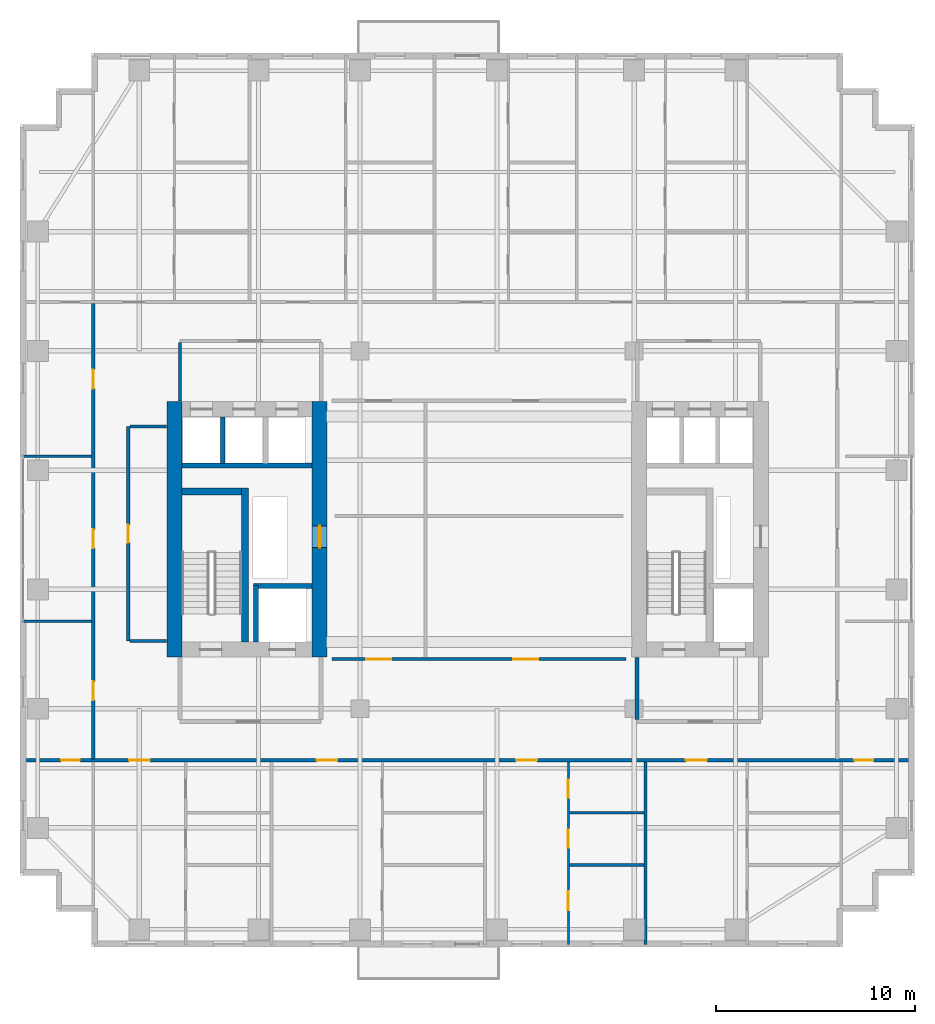
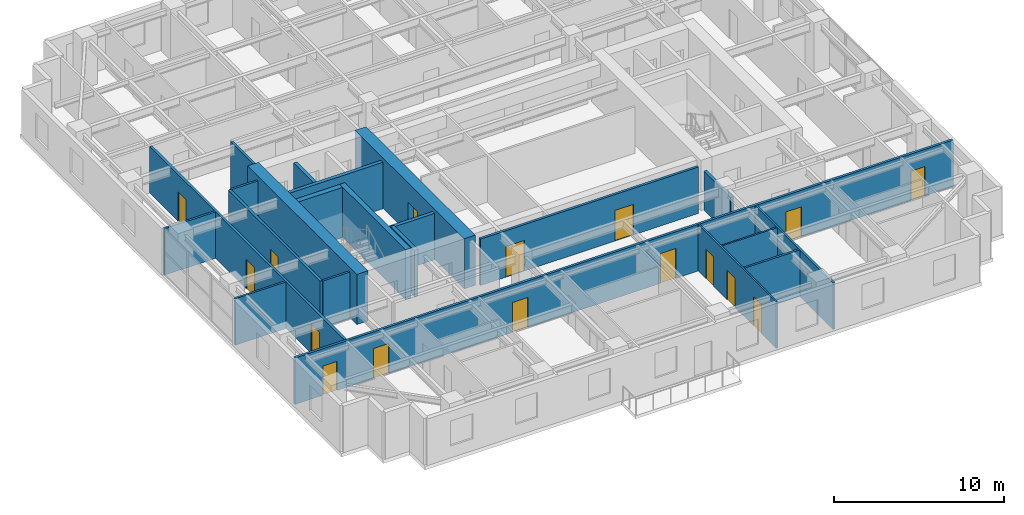
# One storey, part 9 of 15: 22 walls, 16 doors, 16 openings.
"""IFC4 building model written with IfcOpenShell, lengths in metres."""

from ifc_helpers import new_model, si_unit, direction, frame, frame_2d, origin, place, context, subcontext, project, spatial, rectangle, extrude, source, transform, mapped, material, layer, layer_set, type_object, element, fill, save


model = new_model("IFC4")

# Units and contexts
model_context = context("Model", 3, precision=1e-05, world=origin(), true_north=direction((0.0, 1.0)))
body_context = subcontext(model_context, "Body", "Model", "MODEL_VIEW")
ifc_project = project(units=[si_unit("LENGTHUNIT", "METRE"), si_unit("AREAUNIT", "SQUARE_METRE"), si_unit("VOLUMEUNIT", "CUBIC_METRE"), si_unit("PLANEANGLEUNIT", "RADIAN"), si_unit("MASSUNIT", "GRAM", prefix="KILO")], contexts=[model_context])

# Site, building, storey
site_placement = place(None, origin())
site = spatial("IfcSite", under=ifc_project, at=site_placement, CompositionType="ELEMENT")
building_placement = place(site_placement, origin())
building = spatial("IfcBuilding", under=site, at=building_placement, Name="Khoralis Quay Care Tower", CompositionType="ELEMENT")
storey_placement = place(building_placement, frame((0.0, 0.0, 123.300048828125)))
storey = spatial("IfcBuildingStorey", under=building, at=storey_placement, Name="L32", CompositionType="ELEMENT", Elevation=123.300048828125)

# Walls
ifc_material_1 = material(Name="Gypsum plasterboard on acoustic metal stud")
ifc_layer_1 = layer(ifc_material_1, 0.199951171875)
ifc_layer_set_1 = layer_set([ifc_layer_1], Name="Gypsum plasterboard on acoustic metal stud")
wall_type_1 = type_object("IfcWallType", Name="WL-COMP-200", PredefinedType="PARTITIONING", material=ifc_layer_set_1)
wall_1_placement = place(storey_placement, frame((31.050048828125, 11.445068359375, 0.0), z_axis=(0.0, 0.0, 1.0), x_axis=(0.0, 1.0, 0.0)))
element("IfcWall", 1, at=wall_1_placement, inside=storey, type_object=wall_type_1, Name="L32 East Firefighting Lobby West Wall", PredefinedType="PARTITIONING", context=body_context, shape_type="SweptSolid", body=[
    extrude(rectangle(XDim=3.135009765625, YDim=0.199951171875, at=frame_2d((1.5673828125, 0.0))), origin(), (0.0, 0.0, 1.0), 2.7958984375),
])
ifc_material_2 = material(Name="Concrete C80/95", Category="concrete")
ifc_layer_2 = layer(ifc_material_2, 0.75)
ifc_layer_set_2 = layer_set([ifc_layer_2], Name="Concrete C80/95")
wall_type_2 = type_object("IfcWallType", Name="WL-CORE-750", PredefinedType="SHEAR", material=ifc_layer_set_2)
wall_2_placement = place(storey_placement, frame((7.77490234375, 14.60009765625, 0.0), z_axis=(0.0, 0.0, 1.0), x_axis=(0.0, 1.0, 0.0)))
element("IfcWall", 2, at=wall_2_placement, inside=storey, type_object=wall_type_2, Name="L32 WCORE West Shear Wall", PredefinedType="SHEAR", context=body_context, shape_type="SweptSolid", body=[
    extrude(rectangle(XDim=12.849853515625, YDim=0.75, at=frame_2d((6.4248046875, 0.0))), origin(), (0.0, 0.0, 1.0), 3.599853515625),
])

# Wall, opening, door
wall_3_placement = place(storey_placement, frame((15.074951171875, 14.60009765625, 0.0), z_axis=(0.0, 0.0, 1.0), x_axis=(0.0, 1.0, 0.0)))
wall_3 = element("IfcWall", 3, at=wall_3_placement, inside=storey, type_object=wall_type_2, Name="L32 WCORE East Shear Wall", PredefinedType="SHEAR", context=body_context, shape_type="SweptSolid", body=[
    extrude(rectangle(XDim=12.849853515625, YDim=0.75, at=frame_2d((6.4248046875, 0.0))), origin(), (0.0, 0.0, 1.0), 3.599853515625),
])
opening_1_placement = place(wall_3_placement, frame((5.5, 0.0, 0.0)))
opening_1 = element("IfcOpeningElement", 4, at=opening_1_placement, cuts=wall_3, Name="Opening SD1", PredefinedType="OPENING", context=body_context, shape_type="SweptSolid", body=[
    extrude(rectangle(XDim=1.10009765625, YDim=2.199951171875, at=frame_2d((0.550048828125, 1.10009765625))), frame((0.0, 0.385009765625, 0.0), z_axis=(0.0, -1.0, 0.0), x_axis=(1.0, 0.0, 0.0)), (0.0, 0.0, 1.0), 0.77001953125),
])
ifc_material_3 = material(Name="Fire-rated painted steel", Category="steel")
door_type_1 = type_object("IfcDoorType", Name="DR-STAIR-1100X2200", OperationType="NOTDEFINED", PredefinedType="DOOR", material=ifc_material_3)
shared_shape_1 = source(origin(), body_context, "Body", "SweptSolid", [
    extrude(rectangle(XDim=1.10009765625, YDim=2.199951171875, at=frame_2d((0.550048828125, 1.10009765625))), frame((0.0, 0.02490234375, 0.0), z_axis=(0.0, -1.0, 0.0), x_axis=(1.0, 0.0, 0.0)), (0.0, 0.0, 1.0), 0.050048828125),
])
door_1_placement = place(opening_1_placement, origin())
door_1 = element("IfcDoor", 5, at=door_1_placement, inside=storey, type_object=door_type_1, Name="L32 West MEP Riser Door", OperationType="SINGLE_SWING_RIGHT", OverallHeight=2.199951171875, OverallWidth=1.10009765625, PredefinedType="DOOR", context=body_context, shape_type="MappedRepresentation", body=[
    mapped(shared_shape_1, transform((0.0, 0.0, 0.0), scale=1.0)),
])
fill(opening_1, door_1)

# Wall
ifc_layer_3 = layer(ifc_material_1, 0.1650390625)
ifc_layer_set_3 = layer_set([ifc_layer_3], Name="Gypsum plasterboard on acoustic metal stud")
wall_type_3 = type_object("IfcWallType", Name="WL-CORR-165", PredefinedType="PARTITIONING", material=ifc_layer_set_3)
wall_4_placement = place(storey_placement, frame((8.050048828125, 27.469970703125, 0.0), z_axis=(0.0, 0.0, 1.0), x_axis=(0.0, 1.0, 0.0)))
element("IfcWall", 6, at=wall_4_placement, inside=storey, type_object=wall_type_3, Name="L32 West Lift Lobby West Wall", PredefinedType="PARTITIONING", context=body_context, shape_type="SweptSolid", body=[
    extrude(rectangle(XDim=2.95263671875, YDim=0.1650390625, at=frame_2d((1.476318359375, 0.0))), origin(), (0.0, 0.0, 1.0), 3.33984375),
])

# Wall, opening, door
wall_5_placement = place(storey_placement, frame((5.449951171875, 15.39990234375, 0.0), z_axis=(0.0, 0.0, 1.0), x_axis=(0.0, 1.0, 0.0)))
wall_5 = element("IfcWall", 7, at=wall_5_placement, inside=storey, type_object=wall_type_3, Name="L32 West Core Service Flank Wall", PredefinedType="PARTITIONING", context=body_context, shape_type="SweptSolid", body=[
    extrude(rectangle(XDim=10.800048828125, YDim=0.1650390625, at=frame_2d((5.39990234375, 0.0))), origin(), (0.0, 0.0, 1.0), 3.33984375),
])
opening_2_placement = place(wall_5_placement, frame((4.949951171875, 0.0, 0.0)))
opening_2 = element("IfcOpeningElement", 8, at=opening_2_placement, cuts=wall_5, Name="Opening WD1", PredefinedType="OPENING", context=body_context, shape_type="SweptSolid", body=[
    extrude(rectangle(XDim=0.89990234375, YDim=2.10009765625, at=frame_2d((0.449951171875, 1.050048828125))), frame((0.0, 0.092529296875, 0.0), z_axis=(0.0, -1.0, 0.0), x_axis=(1.0, 0.0, 0.0)), (0.0, 0.0, 1.0), 0.18505859375),
])
ifc_material_4 = material(Name="Acoustic hardwood timber", Category="wood")
door_type_2 = type_object("IfcDoorType", Name="DR-BATH-900X2100", OperationType="NOTDEFINED", PredefinedType="DOOR", material=ifc_material_4)
shared_shape_2 = source(origin(), body_context, "Body", "SweptSolid", [
    extrude(rectangle(XDim=0.89990234375, YDim=2.10009765625, at=frame_2d((0.449951171875, 1.050048828125))), frame((0.0, 0.02490234375, 0.0), z_axis=(0.0, -1.0, 0.0), x_axis=(1.0, 0.0, 0.0)), (0.0, 0.0, 1.0), 0.050048828125),
])
door_2_placement = place(opening_2_placement, frame((0.89990234375, 0.0, 0.0), z_axis=(0.0, 0.0, 1.0), x_axis=(-1.0, 0.0, 0.0)))
door_2 = element("IfcDoor", 9, at=door_2_placement, inside=storey, type_object=door_type_2, Name="L32 Housekeeping & Public Accessible WC Door", OperationType="SINGLE_SWING_LEFT", OverallHeight=2.10009765625, OverallWidth=0.89990234375, PredefinedType="DOOR", context=body_context, shape_type="MappedRepresentation", body=[
    mapped(shared_shape_2, transform((0.0, 0.0, 0.0), scale=1.0)),
])
fill(opening_2, door_2)

# Wall, openings, doors
wall_6_placement = place(storey_placement, frame((0.14501953125, 9.39990234375, 0.0), z_axis=(0.0, 0.0, 1.0), x_axis=(1.0, 0.0, 0.0)))
wall_6 = element("IfcWall", 10, at=wall_6_placement, inside=storey, type_object=wall_type_3, Name="L32 South Main Corridor Wall", PredefinedType="PARTITIONING", context=body_context, shape_type="SweptSolid", body=[
    extrude(rectangle(XDim=44.7099609375, YDim=0.1650390625, at=frame_2d((22.35498046875, 0.0))), origin(), (0.0, 0.0, 1.0), 3.33984375),
])
opening_3_placement = place(wall_6_placement, frame((5.342041015625, 0.0, 0.0)))
opening_3 = element("IfcOpeningElement", 11, at=opening_3_placement, cuts=wall_6, Name="Opening UD1", PredefinedType="OPENING", context=body_context, shape_type="SweptSolid", body=[
    extrude(rectangle(XDim=1.050048828125, YDim=2.14990234375, at=frame_2d((0.52490234375, 1.074951171875))), frame((0.0, 0.092529296875, 0.0), z_axis=(0.0, -1.0, 0.0), x_axis=(1.0, 0.0, 0.0)), (0.0, 0.0, 1.0), 0.18505859375),
])
opening_4_placement = place(wall_6_placement, frame((14.7724609375, 0.0, 0.0)))
opening_4 = element("IfcOpeningElement", 12, at=opening_4_placement, cuts=wall_6, Name="Opening UD1", PredefinedType="OPENING", context=body_context, shape_type="SweptSolid", body=[
    extrude(rectangle(XDim=1.050048828125, YDim=2.14990234375, at=frame_2d((0.52490234375, 1.074951171875))), frame((0.0, 0.092529296875, 0.0), z_axis=(0.0, -1.0, 0.0), x_axis=(1.0, 0.0, 0.0)), (0.0, 0.0, 1.0), 0.18505859375),
])
opening_5_placement = place(wall_6_placement, frame((24.821044921875, 0.0, 0.0)))
opening_5 = element("IfcOpeningElement", 13, at=opening_5_placement, cuts=wall_6, Name="Opening UD1", PredefinedType="OPENING", context=body_context, shape_type="SweptSolid", body=[
    extrude(rectangle(XDim=1.050048828125, YDim=2.14990234375, at=frame_2d((0.52490234375, 1.074951171875))), frame((0.0, 0.092529296875, 0.0), z_axis=(0.0, -1.0, 0.0), x_axis=(1.0, 0.0, 0.0)), (0.0, 0.0, 1.0), 0.18505859375),
])
opening_6_placement = place(wall_6_placement, frame((33.361083984375, 0.0, 0.0)))
opening_6 = element("IfcOpeningElement", 14, at=opening_6_placement, cuts=wall_6, Name="Opening UD1", PredefinedType="OPENING", context=body_context, shape_type="SweptSolid", body=[
    extrude(rectangle(XDim=1.050048828125, YDim=2.14990234375, at=frame_2d((0.52490234375, 1.074951171875))), frame((0.0, 0.092529296875, 0.0), z_axis=(0.0, -1.0, 0.0), x_axis=(1.0, 0.0, 0.0)), (0.0, 0.0, 1.0), 0.18505859375),
])
opening_7_placement = place(wall_6_placement, frame((1.919921875, 0.0, 0.0)))
opening_7 = element("IfcOpeningElement", 15, at=opening_7_placement, cuts=wall_6, Name="Opening ID1", PredefinedType="OPENING", context=body_context, shape_type="SweptSolid", body=[
    extrude(rectangle(XDim=0.949951171875, YDim=2.10009765625, at=frame_2d((0.47509765625, 1.050048828125))), frame((0.0, 0.092529296875, 0.0), z_axis=(0.0, -1.0, 0.0), x_axis=(1.0, 0.0, 0.0)), (0.0, 0.0, 1.0), 0.18505859375),
])
opening_8_placement = place(wall_6_placement, frame((41.840087890625, 0.0, 0.0)))
opening_8 = element("IfcOpeningElement", 16, at=opening_8_placement, cuts=wall_6, Name="Opening ID1", PredefinedType="OPENING", context=body_context, shape_type="SweptSolid", body=[
    extrude(rectangle(XDim=0.949951171875, YDim=2.10009765625, at=frame_2d((0.47509765625, 1.050048828125))), frame((0.0, 0.092529296875, 0.0), z_axis=(0.0, -1.0, 0.0), x_axis=(1.0, 0.0, 0.0)), (0.0, 0.0, 1.0), 0.18505859375),
])
door_type_3 = type_object("IfcDoorType", Name="DR-ROOM-950X2100", OperationType="NOTDEFINED", PredefinedType="DOOR", material=ifc_material_4)
shared_shape_3 = source(origin(), body_context, "Body", "SweptSolid", [
    extrude(rectangle(XDim=0.949951171875, YDim=2.10009765625, at=frame_2d((0.47509765625, 1.050048828125))), frame((0.0, 0.02490234375, 0.0), z_axis=(0.0, -1.0, 0.0), x_axis=(1.0, 0.0, 0.0)), (0.0, 0.0, 1.0), 0.050048828125),
])
door_3_placement = place(opening_7_placement, frame((0.949951171875, 0.0, 0.0), z_axis=(0.0, 0.0, 1.0), x_axis=(-1.0, 0.0, 0.0)))
door_3 = element("IfcDoor", 17, at=door_3_placement, inside=storey, type_object=door_type_3, Name="L32 SW Corner Door", OperationType="SINGLE_SWING_LEFT", OverallHeight=2.10009765625, OverallWidth=0.949951171875, PredefinedType="DOOR", context=body_context, shape_type="MappedRepresentation", body=[
    mapped(shared_shape_3, transform((0.0, 0.0, 0.0), scale=1.0)),
])
fill(opening_7, door_3)
door_4_placement = place(opening_8_placement, frame((0.949951171875, 0.0, 0.0), z_axis=(0.0, 0.0, 1.0), x_axis=(-1.0, 0.0, 0.0)))
door_4 = element("IfcDoor", 18, at=door_4_placement, inside=storey, type_object=door_type_3, Name="L32 SE Corner Door", OperationType="SINGLE_SWING_RIGHT", OverallHeight=2.10009765625, OverallWidth=0.949951171875, PredefinedType="DOOR", context=body_context, shape_type="MappedRepresentation", body=[
    mapped(shared_shape_3, transform((0.0, 0.0, 0.0), scale=1.0)),
])
fill(opening_8, door_4)
door_type_4 = type_object("IfcDoorType", Name="DR-SUITE-1050X2150", OperationType="NOTDEFINED", PredefinedType="DOOR", material=ifc_material_4)
shared_shape_4 = source(origin(), body_context, "Body", "SweptSolid", [
    extrude(rectangle(XDim=1.050048828125, YDim=2.14990234375, at=frame_2d((0.52490234375, 1.074951171875))), frame((0.0, 0.02490234375, 0.0), z_axis=(0.0, -1.0, 0.0), x_axis=(1.0, 0.0, 0.0)), (0.0, 0.0, 1.0), 0.050048828125),
])
door_5_placement = place(opening_3_placement, frame((1.050048828125, 0.0, 0.0), z_axis=(0.0, 0.0, 1.0), x_axis=(-1.0, 0.0, 0.0)))
door_5 = element("IfcDoor", 19, at=door_5_placement, inside=storey, type_object=door_type_4, Name="L32 Apartment SB0 Entrance Door", OperationType="SINGLE_SWING_RIGHT", OverallHeight=2.14990234375, OverallWidth=1.050048828125, PredefinedType="DOOR", context=body_context, shape_type="MappedRepresentation", body=[
    mapped(shared_shape_4, transform((0.0, 0.0, 0.0), scale=1.0)),
])
fill(opening_3, door_5)
door_6_placement = place(opening_4_placement, frame((1.050048828125, 0.0, 0.0), z_axis=(0.0, 0.0, 1.0), x_axis=(-1.0, 0.0, 0.0)))
door_6 = element("IfcDoor", 20, at=door_6_placement, inside=storey, type_object=door_type_4, Name="L32 Apartment SB1 Entrance Door", OperationType="SINGLE_SWING_LEFT", OverallHeight=2.14990234375, OverallWidth=1.050048828125, PredefinedType="DOOR", context=body_context, shape_type="MappedRepresentation", body=[
    mapped(shared_shape_4, transform((0.0, 0.0, 0.0), scale=1.0)),
])
fill(opening_4, door_6)
door_7_placement = place(opening_5_placement, frame((1.050048828125, 0.0, 0.0), z_axis=(0.0, 0.0, 1.0), x_axis=(-1.0, 0.0, 0.0)))
door_7 = element("IfcDoor", 21, at=door_7_placement, inside=storey, type_object=door_type_4, Name="L32 Apartment SB2 Entrance Door", OperationType="SINGLE_SWING_RIGHT", OverallHeight=2.14990234375, OverallWidth=1.050048828125, PredefinedType="DOOR", context=body_context, shape_type="MappedRepresentation", body=[
    mapped(shared_shape_4, transform((0.0, 0.0, 0.0), scale=1.0)),
])
fill(opening_5, door_7)
door_8_placement = place(opening_6_placement, frame((1.050048828125, 0.0, 0.0), z_axis=(0.0, 0.0, 1.0), x_axis=(-1.0, 0.0, 0.0)))
door_8 = element("IfcDoor", 22, at=door_8_placement, inside=storey, type_object=door_type_4, Name="L32 Apartment SB3 Entrance Door", OperationType="SINGLE_SWING_LEFT", OverallHeight=2.14990234375, OverallWidth=1.050048828125, PredefinedType="DOOR", context=body_context, shape_type="MappedRepresentation", body=[
    mapped(shared_shape_4, transform((0.0, 0.0, 0.0), scale=1.0)),
])
fill(opening_6, door_8)

wall_7_placement = place(storey_placement, frame((3.679931640625, 9.4775390625, 0.0), z_axis=(0.0, 0.0, 1.0), x_axis=(0.0, 1.0, 0.0)))
wall_7 = element("IfcWall", 23, at=wall_7_placement, inside=storey, type_object=wall_type_3, Name="L32 West Loop Corridor Wall", PredefinedType="PARTITIONING", context=body_context, shape_type="SweptSolid", body=[
    extrude(rectangle(XDim=22.905029296875, YDim=0.1650390625, at=frame_2d((11.45263671875, 0.0))), origin(), (0.0, 0.0, 1.0), 3.33984375),
])
opening_9_placement = place(wall_7_placement, frame((2.947509765625, 0.0, 0.0)))
opening_9 = element("IfcOpeningElement", 24, at=opening_9_placement, cuts=wall_7, Name="Opening ID1", PredefinedType="OPENING", context=body_context, shape_type="SweptSolid", body=[
    extrude(rectangle(XDim=0.949951171875, YDim=2.10009765625, at=frame_2d((0.47509765625, 1.050048828125))), frame((0.0, 0.092529296875, 0.0), z_axis=(0.0, -1.0, 0.0), x_axis=(1.0, 0.0, 0.0)), (0.0, 0.0, 1.0), 0.18505859375),
])
opening_10_placement = place(wall_7_placement, frame((10.597412109375, 0.0, 0.0)))
opening_10 = element("IfcOpeningElement", 25, at=opening_10_placement, cuts=wall_7, Name="Opening ID1", PredefinedType="OPENING", context=body_context, shape_type="SweptSolid", body=[
    extrude(rectangle(XDim=0.949951171875, YDim=2.10009765625, at=frame_2d((0.47509765625, 1.050048828125))), frame((0.0, 0.092529296875, 0.0), z_axis=(0.0, -1.0, 0.0), x_axis=(1.0, 0.0, 0.0)), (0.0, 0.0, 1.0), 0.18505859375),
])
opening_11_placement = place(wall_7_placement, frame((18.62744140625, 0.0, 0.0)))
opening_11 = element("IfcOpeningElement", 26, at=opening_11_placement, cuts=wall_7, Name="Opening ID1", PredefinedType="OPENING", context=body_context, shape_type="SweptSolid", body=[
    extrude(rectangle(XDim=0.949951171875, YDim=2.10009765625, at=frame_2d((0.47509765625, 1.050048828125))), frame((0.0, 0.092529296875, 0.0), z_axis=(0.0, -1.0, 0.0), x_axis=(1.0, 0.0, 0.0)), (0.0, 0.0, 1.0), 0.18505859375),
])
door_9_placement = place(opening_9_placement, origin())
door_9 = element("IfcDoor", 27, at=door_9_placement, inside=storey, type_object=door_type_3, Name="L32 Therapy Consultation Room Door", OperationType="SINGLE_SWING_LEFT", OverallHeight=2.10009765625, OverallWidth=0.949951171875, PredefinedType="DOOR", context=body_context, shape_type="MappedRepresentation", body=[
    mapped(shared_shape_3, transform((0.0, 0.0, 0.0), scale=1.0)),
])
fill(opening_9, door_9)
door_10_placement = place(opening_10_placement, origin())
door_10 = element("IfcDoor", 28, at=door_10_placement, inside=storey, type_object=door_type_3, Name="L32 Assisted Activity Lounge Door", OperationType="SINGLE_SWING_RIGHT", OverallHeight=2.10009765625, OverallWidth=0.949951171875, PredefinedType="DOOR", context=body_context, shape_type="MappedRepresentation", body=[
    mapped(shared_shape_3, transform((0.0, 0.0, 0.0), scale=1.0)),
])
fill(opening_10, door_10)
door_11_placement = place(opening_11_placement, origin())
door_11 = element("IfcDoor", 29, at=door_11_placement, inside=storey, type_object=door_type_3, Name="L32 Nurse Charting Office Door", OperationType="SINGLE_SWING_LEFT", OverallHeight=2.10009765625, OverallWidth=0.949951171875, PredefinedType="DOOR", context=body_context, shape_type="MappedRepresentation", body=[
    mapped(shared_shape_3, transform((0.0, 0.0, 0.0), scale=1.0)),
])
fill(opening_11, door_11)

wall_8_placement = place(storey_placement, frame((15.699951171875, 14.5, 0.0), z_axis=(0.0, 0.0, 1.0), x_axis=(1.0, 0.0, 0.0)))
wall_8 = element("IfcWall", 30, at=wall_8_placement, inside=storey, type_object=wall_type_3, Name="L32 Central Clinical South Wall", PredefinedType="PARTITIONING", context=body_context, shape_type="SweptSolid", body=[
    extrude(rectangle(XDim=14.800048828125, YDim=0.1650390625, at=frame_2d((7.39990234375, 0.0))), origin(), (0.0, 0.0, 1.0), 3.33984375),
])
opening_12_placement = place(wall_8_placement, frame((1.72509765625, 0.0, 0.0)))
opening_12 = element("IfcOpeningElement", 31, at=opening_12_placement, cuts=wall_8, Name="Opening CD1", PredefinedType="OPENING", context=body_context, shape_type="SweptSolid", body=[
    extrude(rectangle(XDim=1.25, YDim=2.199951171875, at=frame_2d((0.625, 1.10009765625))), frame((0.0, 0.092529296875, 0.0), z_axis=(0.0, -1.0, 0.0), x_axis=(1.0, 0.0, 0.0)), (0.0, 0.0, 1.0), 0.18505859375),
])
opening_13_placement = place(wall_8_placement, frame((9.125, 0.0, 0.0)))
opening_13 = element("IfcOpeningElement", 32, at=opening_13_placement, cuts=wall_8, Name="Opening CD1", PredefinedType="OPENING", context=body_context, shape_type="SweptSolid", body=[
    extrude(rectangle(XDim=1.25, YDim=2.199951171875, at=frame_2d((0.625, 1.10009765625))), frame((0.0, 0.092529296875, 0.0), z_axis=(0.0, -1.0, 0.0), x_axis=(1.0, 0.0, 0.0)), (0.0, 0.0, 1.0), 0.18505859375),
])
door_type_5 = type_object("IfcDoorType", Name="DR-CARE-1250X2200", OperationType="NOTDEFINED", PredefinedType="DOOR", material=ifc_material_4)
shared_shape_5 = source(origin(), body_context, "Body", "SweptSolid", [
    extrude(rectangle(XDim=1.25, YDim=2.199951171875, at=frame_2d((0.625, 1.10009765625))), frame((0.0, 0.02490234375, 0.0), z_axis=(0.0, -1.0, 0.0), x_axis=(1.0, 0.0, 0.0)), (0.0, 0.0, 1.0), 0.050048828125),
])
door_12_placement = place(opening_12_placement, origin())
door_12 = element("IfcDoor", 33, at=door_12_placement, inside=storey, type_object=door_type_5, Name="L32 Nurse Station Door", OperationType="SINGLE_SWING_LEFT", OverallHeight=2.199951171875, OverallWidth=1.25, PredefinedType="DOOR", context=body_context, shape_type="MappedRepresentation", body=[
    mapped(shared_shape_5, transform((0.0, 0.0, 0.0), scale=1.0)),
])
fill(opening_12, door_12)
door_13_placement = place(opening_13_placement, origin())
door_13 = element("IfcDoor", 34, at=door_13_placement, inside=storey, type_object=door_type_5, Name="L32 Treatment Clinic Door", OperationType="SINGLE_SWING_RIGHT", OverallHeight=2.199951171875, OverallWidth=1.25, PredefinedType="DOOR", context=body_context, shape_type="MappedRepresentation", body=[
    mapped(shared_shape_5, transform((0.0, 0.0, 0.0), scale=1.0)),
])
fill(opening_13, door_13)

ifc_layer_4 = layer(ifc_material_1, 0.114990234375)
ifc_layer_set_4 = layer_set([ifc_layer_4], Name="Gypsum plasterboard on acoustic metal stud")
wall_type_4 = type_object("IfcWallType", Name="WL-PART-115", PredefinedType="PARTITIONING", material=ifc_layer_set_4)
wall_9_placement = place(storey_placement, frame((27.592041015625, 0.14501953125, 0.0), z_axis=(0.0, 0.0, 1.0), x_axis=(0.0, 1.0, 0.0)))
wall_9 = element("IfcWall", 35, at=wall_9_placement, inside=storey, type_object=wall_type_4, Name="L32 Unit 2 Internal Wall", PredefinedType="PARTITIONING", context=body_context, shape_type="SweptSolid", body=[
    extrude(rectangle(XDim=9.177490234375, YDim=0.114990234375, at=frame_2d((4.5888671875, 0.0))), origin(), (0.0, 0.0, 1.0), 3.33984375),
])
opening_14_placement = place(wall_9_placement, frame((1.722900390625, 0.0, 0.0)))
opening_14 = element("IfcOpeningElement", 36, at=opening_14_placement, cuts=wall_9, Name="Opening ID1", PredefinedType="OPENING", context=body_context, shape_type="SweptSolid", body=[
    extrude(rectangle(XDim=0.949951171875, YDim=2.10009765625, at=frame_2d((0.47509765625, 1.050048828125))), frame((0.0, 0.0673828125, 0.0), z_axis=(0.0, -1.0, 0.0), x_axis=(1.0, 0.0, 0.0)), (0.0, 0.0, 1.0), 0.135009765625),
])
opening_15_placement = place(wall_9_placement, frame((4.85693359375, 0.0, 0.0)))
opening_15 = element("IfcOpeningElement", 37, at=opening_15_placement, cuts=wall_9, Name="Opening WD1", PredefinedType="OPENING", context=body_context, shape_type="SweptSolid", body=[
    extrude(rectangle(XDim=0.89990234375, YDim=2.10009765625, at=frame_2d((0.449951171875, 1.050048828125))), frame((0.0, 0.0673828125, 0.0), z_axis=(0.0, -1.0, 0.0), x_axis=(1.0, 0.0, 0.0)), (0.0, 0.0, 1.0), 0.135009765625),
])
opening_16_placement = place(wall_9_placement, frame((7.3740234375, 0.0, 0.0)))
opening_16 = element("IfcOpeningElement", 38, at=opening_16_placement, cuts=wall_9, Name="Opening WD1", PredefinedType="OPENING", context=body_context, shape_type="SweptSolid", body=[
    extrude(rectangle(XDim=0.89990234375, YDim=2.10009765625, at=frame_2d((0.449951171875, 1.050048828125))), frame((0.0, 0.0673828125, 0.0), z_axis=(0.0, -1.0, 0.0), x_axis=(1.0, 0.0, 0.0)), (0.0, 0.0, 1.0), 0.135009765625),
])
door_14_placement = place(opening_15_placement, frame((0.89990234375, 0.0, 0.0), z_axis=(0.0, 0.0, 1.0), x_axis=(-1.0, 0.0, 0.0)))
door_14 = element("IfcDoor", 39, at=door_14_placement, inside=storey, type_object=door_type_2, Name="L32 Apartment SB2 KIT Door", OperationType="SINGLE_SWING_RIGHT", OverallHeight=2.10009765625, OverallWidth=0.89990234375, PredefinedType="DOOR", context=body_context, shape_type="MappedRepresentation", body=[
    mapped(shared_shape_2, transform((0.0, 0.0, 0.0), scale=1.0)),
])
fill(opening_15, door_14)
door_15_placement = place(opening_16_placement, frame((0.89990234375, 0.0, 0.0), z_axis=(0.0, 0.0, 1.0), x_axis=(-1.0, 0.0, 0.0)))
door_15 = element("IfcDoor", 40, at=door_15_placement, inside=storey, type_object=door_type_2, Name="L32 Apartment SB2 BTH Door", OperationType="SINGLE_SWING_LEFT", OverallHeight=2.10009765625, OverallWidth=0.89990234375, PredefinedType="DOOR", context=body_context, shape_type="MappedRepresentation", body=[
    mapped(shared_shape_2, transform((0.0, 0.0, 0.0), scale=1.0)),
])
fill(opening_16, door_15)
door_16_placement = place(opening_14_placement, frame((0.949951171875, 0.0, 0.0), z_axis=(0.0, 0.0, 1.0), x_axis=(-1.0, 0.0, 0.0)))
door_16 = element("IfcDoor", 41, at=door_16_placement, inside=storey, type_object=door_type_3, Name="L32 Apartment SB2 BED Door", OperationType="SINGLE_SWING_LEFT", OverallHeight=2.10009765625, OverallWidth=0.949951171875, PredefinedType="DOOR", context=body_context, shape_type="MappedRepresentation", body=[
    mapped(shared_shape_3, transform((0.0, 0.0, 0.0), scale=1.0)),
])
fill(opening_14, door_16)

# Walls
wall_10_placement = place(storey_placement, frame((27.64453125, 6.76806640625, 0.0), z_axis=(0.0, 0.0, 1.0), x_axis=(1.0, 0.0, 0.0)))
element("IfcWall", 42, at=wall_10_placement, inside=storey, type_object=wall_type_4, Name="L32 Unit 2 Kitchen Wall", PredefinedType="PARTITIONING", context=body_context, shape_type="SweptSolid", body=[
    extrude(rectangle(XDim=3.760498046875, YDim=0.114990234375, at=frame_2d((1.88037109375, 0.0))), origin(), (0.0, 0.0, 1.0), 3.33984375),
])
ifc_material_5 = material(Name="Moisture-resistant gypsum and ceramic tile")
ifc_layer_5 = layer(ifc_material_5, 0.280029296875)
ifc_layer_set_5 = layer_set([ifc_layer_5], Name="Moisture-resistant gypsum and ceramic tile")
wall_type_5 = type_object("IfcWallType", Name="WL-PLUMB-280", PredefinedType="PLUMBINGWALL", material=ifc_layer_set_5)
wall_11_placement = place(storey_placement, frame((27.64453125, 4.135986328125, 0.0), z_axis=(0.0, 0.0, 1.0), x_axis=(1.0, 0.0, 0.0)))
element("IfcWall", 43, at=wall_11_placement, inside=storey, type_object=wall_type_5, Name="L32 Unit 2 Wet Wall", PredefinedType="PLUMBINGWALL", context=body_context, shape_type="SweptSolid", body=[
    extrude(rectangle(XDim=3.760498046875, YDim=0.139892578125, at=frame_2d((1.88037109375, 0.0))), origin(), (0.0, 0.0, 1.0), 3.33984375),
])
ifc_material_6 = material(Name="Concrete C40/50", Category="concrete")
ifc_layer_6 = layer(ifc_material_6, 0.35009765625)
ifc_layer_set_6 = layer_set([ifc_layer_6], Name="Concrete C40/50")
wall_type_6 = type_object("IfcWallType", Name="WL-SC-CORE-350", PredefinedType="SHEAR", material=ifc_layer_set_6)
wall_12_placement = place(storey_placement, frame((11.324951171875, 15.35009765625, 0.0), z_axis=(0.0, 0.0, 1.0), x_axis=(0.0, 1.0, 0.0)))
element("IfcWall", 44, at=wall_12_placement, inside=storey, type_object=wall_type_6, Name="L32 Stair ST-T1 Shear Baffle Wall East", PredefinedType="SHEAR", context=body_context, shape_type="SweptSolid", body=[
    extrude(rectangle(XDim=7.75, YDim=0.35009765625, at=frame_2d((3.875, 0.0))), origin(), (0.0, 0.0, 1.0), 3.599853515625),
])
wall_13_placement = place(storey_placement, frame((8.14990234375, 22.925048828125, 0.0), z_axis=(0.0, 0.0, 1.0), x_axis=(1.0, 0.0, 0.0)))
element("IfcWall", 45, at=wall_13_placement, inside=storey, type_object=wall_type_6, Name="L32 Stair ST-T1 Shear Baffle Wall North", PredefinedType="SHEAR", context=body_context, shape_type="SweptSolid", body=[
    extrude(rectangle(XDim=3.0, YDim=0.35009765625, at=frame_2d((1.5, 0.0))), origin(), (0.0, 0.0, 1.0), 3.599853515625),
])
ifc_layer_7 = layer(ifc_material_1, 0.239990234375)
ifc_layer_set_7 = layer_set([ifc_layer_7], Name="Gypsum plasterboard on acoustic metal stud")
wall_type_7 = type_object("IfcWallType", Name="WL-SHAFT-240", PredefinedType="PARTITIONING", material=ifc_layer_set_7)
wall_14_placement = place(storey_placement, frame((11.8798828125, 15.35009765625, 0.0), z_axis=(0.0, 0.0, 1.0), x_axis=(0.0, 1.0, 0.0)))
element("IfcWall", 46, at=wall_14_placement, inside=storey, type_object=wall_type_7, Name="L32 FFL-1 Shaft Wall West", PredefinedType="PARTITIONING", context=body_context, shape_type="SweptSolid", body=[
    extrude(rectangle(XDim=2.849853515625, YDim=0.239990234375, at=frame_2d((1.4248046875, 0.0))), origin(), (0.0, 0.0, 1.0), 3.33984375),
])
wall_15_placement = place(storey_placement, frame((11.760009765625, 18.169921875, 0.0), z_axis=(0.0, 0.0, 1.0), x_axis=(1.0, 0.0, 0.0)))
element("IfcWall", 47, at=wall_15_placement, inside=storey, type_object=wall_type_7, Name="L32 FFL-1 Shaft Wall North", PredefinedType="PARTITIONING", context=body_context, shape_type="SweptSolid", body=[
    extrude(rectangle(XDim=2.919921875, YDim=0.239990234375, at=frame_2d((1.4599609375, 0.0))), origin(), (0.0, 0.0, 1.0), 3.33984375),
])
wall_16_placement = place(storey_placement, frame((8.14990234375, 24.22998046875, 0.0), z_axis=(0.0, 0.0, 1.0), x_axis=(1.0, 0.0, 0.0)))
element("IfcWall", 48, at=wall_16_placement, inside=storey, type_object=wall_type_7, Name="L32 West Passenger Shaft South Wall", PredefinedType="PARTITIONING", context=body_context, shape_type="SweptSolid", body=[
    extrude(rectangle(XDim=6.530029296875, YDim=0.239990234375, at=frame_2d((3.26513671875, 0.0))), origin(), (0.0, 0.0, 1.0), 3.33984375),
])
wall_17_placement = place(storey_placement, frame((10.199951171875, 24.344970703125, 0.0), z_axis=(0.0, 0.0, 1.0), x_axis=(0.0, 1.0, 0.0)))
element("IfcWall", 49, at=wall_17_placement, inside=storey, type_object=wall_type_7, Name="L32 West Shaft Divider 1", PredefinedType="PARTITIONING", context=body_context, shape_type="SweptSolid", body=[
    extrude(rectangle(XDim=2.3349609375, YDim=0.239990234375, at=frame_2d((1.16748046875, 0.0))), origin(), (0.0, 0.0, 1.0), 3.33984375),
])
ifc_layer_8 = layer(ifc_material_1, 0.139892578125)
ifc_layer_set_8 = layer_set([ifc_layer_8], Name="Gypsum plasterboard on acoustic metal stud")
wall_type_8 = type_object("IfcWallType", Name="WL-UNIT-140", PredefinedType="PARTITIONING", material=ifc_layer_set_8)
for number, where, z_axis, x_axis, name in (
    (50, (5.527587890625, 15.39990234375, 0.0), (0.0, 0.0, 1.0), (1.0, 0.0, 0.0), "L32 West Flank South Cap"),
    (51, (5.527587890625, 26.199951171875, 0.0), (0.0, 0.0, 1.0), (1.0, 0.0, 0.0), "L32 West Flank North Cap"),
):
    element("IfcWall", number, at=place(storey_placement, frame(where, z_axis=z_axis, x_axis=x_axis)), inside=storey, type_object=wall_type_8, Name=name, PredefinedType="PARTITIONING", context=body_context, shape_type="SweptSolid", body=[
        extrude(rectangle(XDim=1.83251953125, YDim=0.139892578125, at=frame_2d((0.916259765625, 0.0))), origin(), (0.0, 0.0, 1.0), 3.33984375),
    ])
for number, where, z_axis, x_axis, name in (
    (52, (0.14501953125, 16.39990234375, 0.0), (0.0, 0.0, 1.0), (1.0, 0.0, 0.0), "L32 WW Divider 1"),
    (53, (0.14501953125, 24.699951171875, 0.0), (0.0, 0.0, 1.0), (1.0, 0.0, 0.0), "L32 WW Divider 2"),
):
    element("IfcWall", number, at=place(storey_placement, frame(where, z_axis=z_axis, x_axis=x_axis)), inside=storey, type_object=wall_type_8, Name=name, PredefinedType="PARTITIONING", context=body_context, shape_type="SweptSolid", body=[
        extrude(rectangle(XDim=3.45751953125, YDim=0.139892578125, at=frame_2d((1.728759765625, 0.0))), origin(), (0.0, 0.0, 1.0), 3.33984375),
    ])
wall_18_placement = place(storey_placement, frame((31.469970703125, 0.14501953125, 0.0), z_axis=(0.0, 0.0, 1.0), x_axis=(0.0, 1.0, 0.0)))
element("IfcWall", 54, at=wall_18_placement, inside=storey, type_object=wall_type_8, Name="L32 SB Demising Wall 3", PredefinedType="PARTITIONING", context=body_context, shape_type="SweptSolid", body=[
    extrude(rectangle(XDim=9.177490234375, YDim=0.139892578125, at=frame_2d((4.5888671875, 0.0))), origin(), (0.0, 0.0, 1.0), 3.33984375),
])

save(model, "model.ifc")
